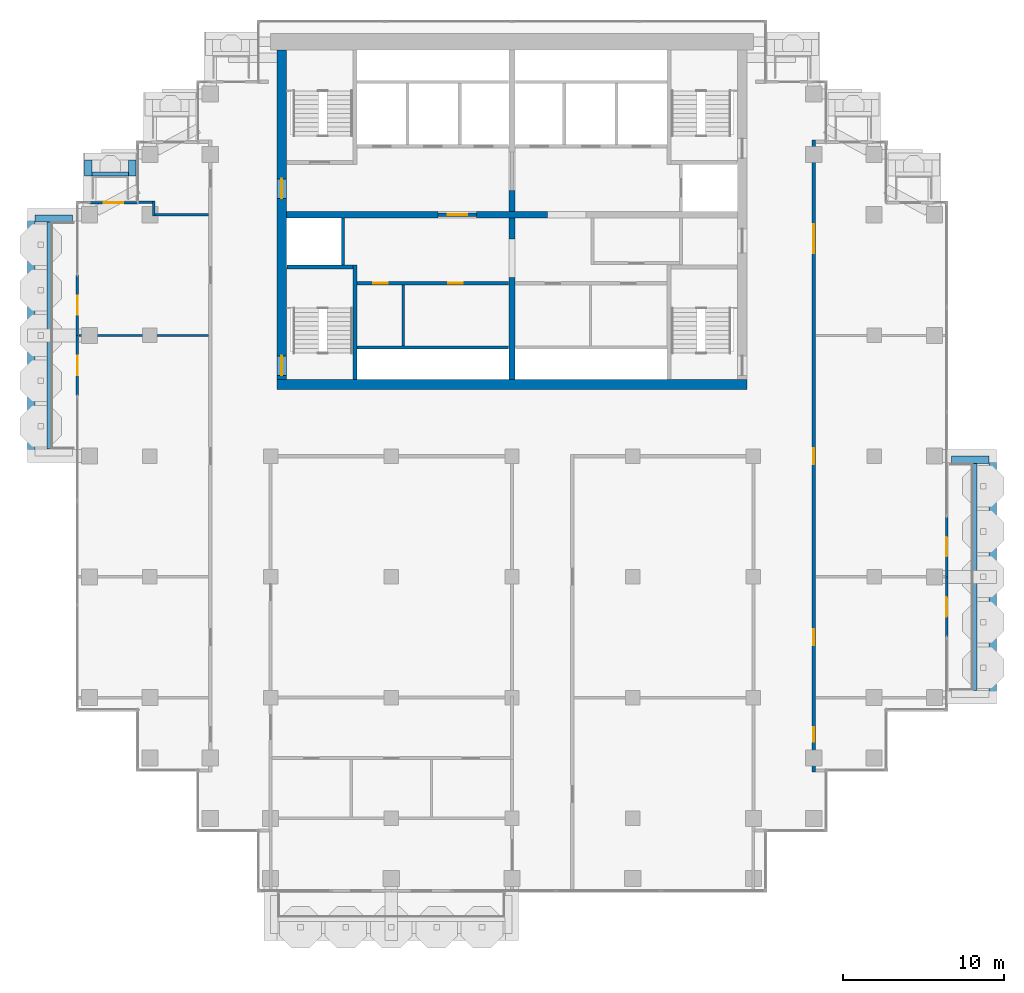
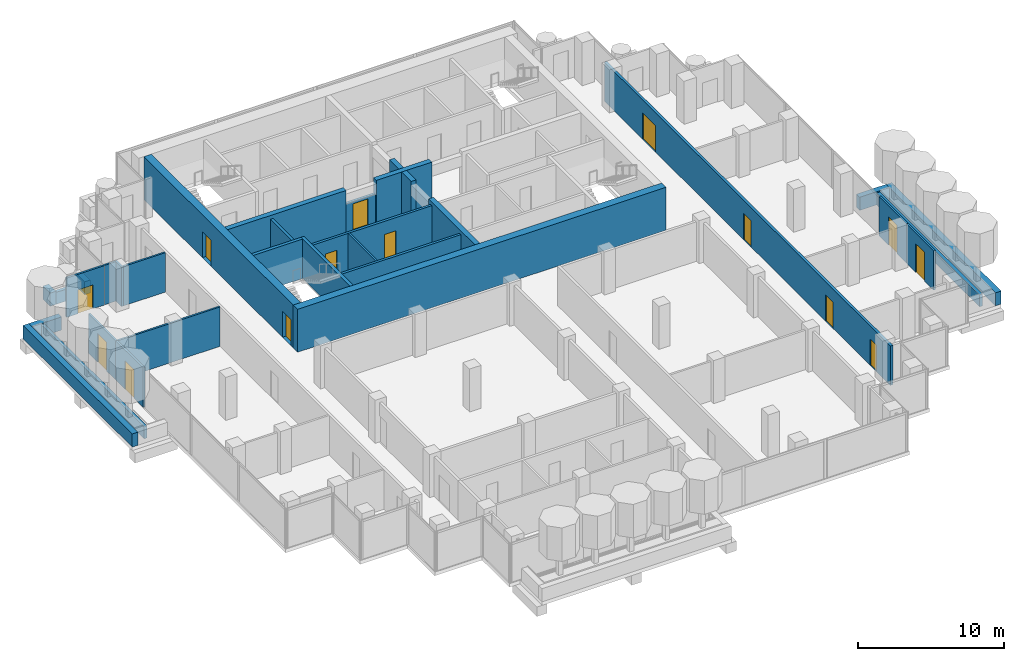
# One storey, part 12 of 17: 33 walls, 14 doors, 14 openings.
"""IFC4 building model written with IfcOpenShell, lengths in metres."""

from ifc_helpers import new_model, si_unit, direction, frame, frame_2d, origin, place, context, subcontext, project, spatial, rectangle, extrude, material, layer, layer_set, type_object, element, fill, save


model = new_model("IFC4")

# Units and contexts
model_context = context("Model", 3, precision=1e-05, world=origin(), true_north=direction((0.0, 1.0)))
body_context = subcontext(model_context, "Body", "Model", "MODEL_VIEW")
ifc_project = project(units=[si_unit("LENGTHUNIT", "METRE"), si_unit("AREAUNIT", "SQUARE_METRE"), si_unit("VOLUMEUNIT", "CUBIC_METRE"), si_unit("PLANEANGLEUNIT", "RADIAN"), si_unit("MASSUNIT", "GRAM", prefix="KILO")], contexts=[model_context])

# Site, building, storey
site_placement = place(None, origin())
site = spatial("IfcSite", under=ifc_project, at=site_placement, CompositionType="ELEMENT")
building_placement = place(site_placement, origin())
building = spatial("IfcBuilding", under=site, at=building_placement, Name="Pilkhan Gate Tower", CompositionType="ELEMENT")
storey_placement = place(building_placement, frame((0.0, 0.0, 206.699951171875)))
storey = spatial("IfcBuildingStorey", under=building, at=storey_placement, Name="L53", CompositionType="ELEMENT", Elevation=206.699951171875)

# Walls
ifc_material_1 = material(Name="Concrete C40/50", Category="concrete")
ifc_layer_1 = layer(ifc_material_1, 0.25)
ifc_layer_set_1 = layer_set([ifc_layer_1], Name="Balcony planter BP250")
wall_type_1 = type_object("IfcWallType", Name="Balcony planter BP250", PredefinedType="USERDEFINED", material=ifc_layer_set_1)
wall_1_placement = place(storey_placement, frame((103.77490234375, 52.949951171875, 0.0), z_axis=(0.0, 0.0, 1.0), x_axis=(0.0, 1.0, 0.0)))
element("IfcWall", 1, at=wall_1_placement, inside=storey, type_object=wall_type_1, Name="Balcony planter L53 E", ObjectType="BALCONY PLANTER", PredefinedType="USERDEFINED", context=body_context, shape_type="SweptSolid", body=[
    extrude(rectangle(XDim=14.10009765625, YDim=0.25, at=frame_2d((7.050048828125, 0.0))), origin(), (0.0, 0.0, 1.0), 1.0),
])
wall_2_placement = place(storey_placement, frame((48.89990234375, 85.02490234375, 0.0), z_axis=(0.0, 0.0, 1.0), x_axis=(1.0, 0.0, 0.0)))
element("IfcWall", 2, at=wall_2_placement, inside=storey, type_object=wall_type_1, Name="Balcony planter L53 N", ObjectType="BALCONY PLANTER", PredefinedType="USERDEFINED", context=body_context, shape_type="SweptSolid", body=[
    extrude(rectangle(XDim=2.280029296875, YDim=0.25, at=frame_2d((1.14013671875, 0.0))), origin(), (0.0, 0.0, 1.0), 1.0),
])
wall_3_placement = place(storey_placement, frame((46.22509765625, 67.949951171875, 0.0), z_axis=(0.0, 0.0, 1.0), x_axis=(0.0, 1.0, 0.0)))
element("IfcWall", 3, at=wall_3_placement, inside=storey, type_object=wall_type_1, Name="Balcony planter L53 W", ObjectType="BALCONY PLANTER", PredefinedType="USERDEFINED", context=body_context, shape_type="SweptSolid", body=[
    extrude(rectangle(XDim=14.10009765625, YDim=0.25, at=frame_2d((7.050048828125, 0.0))), origin(), (0.0, 0.0, 1.0), 1.0),
])
ifc_material_2 = material(Name="Board-marked Concrete C40/50", Category="concrete")
ifc_layer_2 = layer(ifc_material_2, 0.449951171875)
ifc_layer_set_2 = layer_set([ifc_layer_2], Name="Balcony planter lip BL450")
wall_type_2 = type_object("IfcWallType", Name="Balcony planter lip BL450", PredefinedType="USERDEFINED", material=ifc_layer_set_2)
wall_4_placement = place(storey_placement, frame((104.875, 52.5, 0.0), z_axis=(0.0, 0.0, 1.0), x_axis=(0.0, 1.0, 0.0)))
element("IfcWall", 4, at=wall_4_placement, inside=storey, type_object=wall_type_2, Name="Balcony planter L53 E", ObjectType="BALCONY PLANTER", PredefinedType="USERDEFINED", context=body_context, shape_type="SweptSolid", body=[
    extrude(rectangle(XDim=15.0, YDim=0.449951171875, at=frame_2d((7.5, 0.0))), origin(), (0.0, 0.0, 1.0), 1.10009765625),
])
wall_5_placement = place(storey_placement, frame((102.300048828125, 67.27490234375, 0.0), z_axis=(0.0, 0.0, 1.0), x_axis=(1.0, 0.0, 0.0)))
element("IfcWall", 5, at=wall_5_placement, inside=storey, type_object=wall_type_2, Name="Balcony planter L53 E", ObjectType="BALCONY PLANTER", PredefinedType="USERDEFINED", context=body_context, shape_type="SweptSolid", body=[
    extrude(rectangle(XDim=2.349853515625, YDim=0.449951171875, at=frame_2d((1.1748046875, 0.0))), origin(), (0.0, 0.0, 1.0), 1.10009765625),
])
for number, where, z_axis, x_axis, name in (
    (6, (48.675048828125, 84.89990234375, 0.0), (0.0, 0.0, 1.0), (0.0, 1.0, 0.0), "Balcony planter L53 N"),
    (7, (51.405029296875, 84.89990234375, 0.0), (0.0, 0.0, 1.0), (0.0, 1.0, 0.0), "Balcony planter L53 N"),
):
    element("IfcWall", number, at=place(storey_placement, frame(where, z_axis=z_axis, x_axis=x_axis)), inside=storey, type_object=wall_type_2, Name=name, ObjectType="BALCONY PLANTER", PredefinedType="USERDEFINED", context=body_context, shape_type="SweptSolid", body=[
        extrude(rectangle(XDim=1.0, YDim=0.449951171875, at=frame_2d((0.5, 0.0))), origin(), (0.0, 0.0, 1.0), 1.10009765625),
    ])
wall_6_placement = place(storey_placement, frame((45.125, 67.5, 0.0), z_axis=(0.0, 0.0, 1.0), x_axis=(0.0, 1.0, 0.0)))
element("IfcWall", 8, at=wall_6_placement, inside=storey, type_object=wall_type_2, Name="Balcony planter L53 W", ObjectType="BALCONY PLANTER", PredefinedType="USERDEFINED", context=body_context, shape_type="SweptSolid", body=[
    extrude(rectangle(XDim=15.0, YDim=0.449951171875, at=frame_2d((7.5, 0.0))), origin(), (0.0, 0.0, 1.0), 1.10009765625),
])
wall_7_placement = place(storey_placement, frame((47.699951171875, 82.27490234375, 0.0), z_axis=(0.0, 0.0, 1.0), x_axis=(-1.0, 0.0, 0.0)))
element("IfcWall", 9, at=wall_7_placement, inside=storey, type_object=wall_type_2, Name="Balcony planter L53 W", ObjectType="BALCONY PLANTER", PredefinedType="USERDEFINED", context=body_context, shape_type="SweptSolid", body=[
    extrude(rectangle(XDim=2.349853515625, YDim=0.449951171875, at=frame_2d((1.1748046875, 0.0))), origin(), (0.0, 0.0, 1.0), 1.10009765625),
])
ifc_material_3 = material(Name="Concrete C50/60", Category="concrete")
ifc_layer_3 = layer(ifc_material_3, 0.60009765625)
ifc_layer_set_3 = layer_set([ifc_layer_3], Name="Core wall CW600 C50/60")
wall_type_3 = type_object("IfcWallType", Name="Core wall CW600 C50/60", PredefinedType="SHEAR", material=ifc_layer_set_3)
wall_8_placement = place(storey_placement, frame((60.39990234375, 71.949951171875, 0.0), z_axis=(0.0, 0.0, 1.0), x_axis=(1.0, 0.0, 0.0)))
element("IfcWall", 10, at=wall_8_placement, inside=storey, type_object=wall_type_3, Name="Core wall S L53", PredefinedType="SHEAR", context=body_context, shape_type="SweptSolid", body=[
    extrude(rectangle(XDim=29.2001953125, YDim=0.60009765625, at=frame_2d((14.60009765625, 0.0))), origin(), (0.0, 0.0, 1.0), 3.60009765625),
])

# Wall, openings, doors
wall_9_placement = place(storey_placement, frame((60.699951171875, 92.75, 0.0), z_axis=(0.0, 0.0, 1.0), x_axis=(0.0, -1.0, 0.0)))
wall_9 = element("IfcWall", 11, at=wall_9_placement, inside=storey, type_object=wall_type_3, Name="Core wall W L53", PredefinedType="SHEAR", context=body_context, shape_type="SweptSolid", body=[
    extrude(rectangle(XDim=20.5, YDim=0.60009765625, at=frame_2d((10.25, 0.0))), origin(), (0.0, 0.0, 1.0), 3.60009765625),
])
opening_1_placement = place(wall_9_placement, frame((19.02490234375, 0.0, 0.0)))
opening_1 = element("IfcOpeningElement", 12, at=opening_1_placement, cuts=wall_9, Name="Opening L53-04", PredefinedType="OPENING", context=body_context, shape_type="SweptSolid", body=[
    extrude(rectangle(XDim=1.199951171875, YDim=2.199951171875, at=frame_2d((0.60009765625, 1.10009765625))), frame((0.0, 0.31005859375, 0.0), z_axis=(0.0, -1.0, 0.0), x_axis=(1.0, 0.0, 0.0)), (0.0, 0.0, 1.0), 0.6201171875),
])
opening_2_placement = place(wall_9_placement, frame((8.02490234375, 0.0, 0.0)))
opening_2 = element("IfcOpeningElement", 13, at=opening_2_placement, cuts=wall_9, Name="Opening L53-08", PredefinedType="OPENING", context=body_context, shape_type="SweptSolid", body=[
    extrude(rectangle(XDim=1.199951171875, YDim=2.199951171875, at=frame_2d((0.60009765625, 1.10009765625))), frame((0.0, 0.31005859375, 0.0), z_axis=(0.0, -1.0, 0.0), x_axis=(1.0, 0.0, 0.0)), (0.0, 0.0, 1.0), 0.6201171875),
])
ifc_material_4 = material(Name="Steel door, 120 minute fire resisting, self-closing", Category="steel")
door_type_1 = type_object("IfcDoorType", Name="Firefighting lobby door D10 1200x2200", OperationType="SINGLE_SWING_LEFT", PredefinedType="DOOR", material=ifc_material_4)
door_1_placement = place(opening_2_placement, origin())
door_1 = element("IfcDoor", 14, at=door_1_placement, inside=storey, type_object=door_type_1, Name="Core door", OperationType="SINGLE_SWING_RIGHT", OverallHeight=2.199951171875, OverallWidth=1.199951171875, PredefinedType="DOOR", context=body_context, shape_type="SweptSolid", body=[
    extrude(rectangle(XDim=1.199951171875, YDim=2.199951171875, at=frame_2d((0.60009765625, 1.10009765625))), frame((0.0, 0.02490234375, 0.0), z_axis=(0.0, -1.0, 0.0), x_axis=(1.0, 0.0, 0.0)), (0.0, 0.0, 1.0), 0.050048828125),
])
fill(opening_2, door_1)
ifc_material_5 = material(Name="Steel door, 120 minute fire resisting, panic bar", Category="steel")
door_type_2 = type_object("IfcDoorType", Name="Stair door D11 1200x2200", OperationType="SINGLE_SWING_LEFT", PredefinedType="DOOR", material=ifc_material_5)
door_2_placement = place(opening_1_placement, origin())
door_2 = element("IfcDoor", 15, at=door_2_placement, inside=storey, type_object=door_type_2, Name="Stair ST2 door", OperationType="SINGLE_SWING_LEFT", OverallHeight=2.199951171875, OverallWidth=1.199951171875, PredefinedType="DOOR", context=body_context, shape_type="SweptSolid", body=[
    extrude(rectangle(XDim=1.199951171875, YDim=2.199951171875, at=frame_2d((0.60009765625, 1.10009765625))), frame((0.0, 0.02490234375, 0.0), z_axis=(0.0, -1.0, 0.0), x_axis=(1.0, 0.0, 0.0)), (0.0, 0.0, 1.0), 0.050048828125),
])
fill(opening_1, door_2)

ifc_material_6 = material(Name="Dense blockwork", Category="masonry")
ifc_layer_4 = layer(ifc_material_6, 0.199951171875)
ifc_layer_set_4 = layer_set([ifc_layer_4], Name="Corridor wall FW200")
wall_type_4 = type_object("IfcWallType", Name="Corridor wall FW200", PredefinedType="PARTITIONING", material=ifc_layer_set_4)
wall_10_placement = place(storey_placement, frame((93.75, 47.8701171875, 0.0), z_axis=(0.0, 0.0, 1.0), x_axis=(0.0, 1.0, 0.0)))
wall_10 = element("IfcWall", 16, at=wall_10_placement, inside=storey, type_object=wall_type_4, Name="Partition L53", PredefinedType="PARTITIONING", context=body_context, shape_type="SweptSolid", body=[
    extrude(rectangle(XDim=39.259765625, YDim=0.199951171875, at=frame_2d((19.6298828125, 0.0))), origin(), (0.0, 0.0, 1.0), 3.300048828125),
])
opening_3_placement = place(wall_10_placement, frame((1.89990234375, 0.0, 0.0)))
opening_3 = element("IfcOpeningElement", 17, at=opening_3_placement, cuts=wall_10, Name="Opening L53-24", PredefinedType="OPENING", context=body_context, shape_type="SweptSolid", body=[
    extrude(rectangle(XDim=0.89990234375, YDim=2.199951171875, at=frame_2d((0.449951171875, 1.10009765625))), frame((0.0, 0.10986328125, 0.0), z_axis=(0.0, -1.0, 0.0), x_axis=(1.0, 0.0, 0.0)), (0.0, 0.0, 1.0), 0.219970703125),
])
opening_4_placement = place(wall_10_placement, frame((7.8798828125, 0.0, 0.0)))
opening_4 = element("IfcOpeningElement", 18, at=opening_4_placement, cuts=wall_10, Name="Opening L53-25", PredefinedType="OPENING", context=body_context, shape_type="SweptSolid", body=[
    extrude(rectangle(XDim=1.0, YDim=2.199951171875, at=frame_2d((0.5, 1.10009765625))), frame((0.0, 0.10986328125, 0.0), z_axis=(0.0, -1.0, 0.0), x_axis=(1.0, 0.0, 0.0)), (0.0, 0.0, 1.0), 0.219970703125),
])
opening_5_placement = place(wall_10_placement, frame((19.1298828125, 0.0, 0.0)))
opening_5 = element("IfcOpeningElement", 19, at=opening_5_placement, cuts=wall_10, Name="Opening L53-26", PredefinedType="OPENING", context=body_context, shape_type="SweptSolid", body=[
    extrude(rectangle(XDim=1.0, YDim=2.199951171875, at=frame_2d((0.5, 1.10009765625))), frame((0.0, 0.10986328125, 0.0), z_axis=(0.0, -1.0, 0.0), x_axis=(1.0, 0.0, 0.0)), (0.0, 0.0, 1.0), 0.219970703125),
])
opening_6_placement = place(wall_10_placement, frame((32.22998046875, 0.0, 0.0)))
opening_6 = element("IfcOpeningElement", 20, at=opening_6_placement, cuts=wall_10, Name="Opening L53-29", PredefinedType="OPENING", context=body_context, shape_type="SweptSolid", body=[
    extrude(rectangle(XDim=1.800048828125, YDim=2.199951171875, at=frame_2d((0.89990234375, 1.10009765625))), frame((0.0, 0.10986328125, 0.0), z_axis=(0.0, -1.0, 0.0), x_axis=(1.0, 0.0, 0.0)), (0.0, 0.0, 1.0), 0.219970703125),
])
ifc_material_7 = material(Name="Timber glazed double door, 30 minute fire resisting", Category="wood")
door_type_3 = type_object("IfcDoorType", Name="Double door D04 1800x2200", OperationType="DOUBLE_DOOR_SINGLE_SWING", PredefinedType="DOOR", material=ifc_material_7)
door_3_placement = place(opening_6_placement, origin())
door_3 = element("IfcDoor", 21, at=door_3_placement, inside=storey, type_object=door_type_3, Name="Double door", OperationType="DOUBLE_DOOR_SINGLE_SWING", OverallHeight=2.199951171875, OverallWidth=1.800048828125, PredefinedType="DOOR", context=body_context, shape_type="SweptSolid", body=[
    extrude(rectangle(XDim=1.800048828125, YDim=2.199951171875, at=frame_2d((0.89990234375, 1.10009765625))), frame((0.0, 0.02490234375, 0.0), z_axis=(0.0, -1.0, 0.0), x_axis=(1.0, 0.0, 0.0)), (0.0, 0.0, 1.0), 0.050048828125),
])
fill(opening_6, door_3)
ifc_material_8 = material(Name="Timber flush door, 30 minute fire resisting", Category="wood")
door_type_4 = type_object("IfcDoorType", Name="Room door D03 1000x2200", OperationType="SINGLE_SWING_LEFT", PredefinedType="DOOR", material=ifc_material_8)
door_4_placement = place(opening_4_placement, origin())
door_4 = element("IfcDoor", 22, at=door_4_placement, inside=storey, type_object=door_type_4, Name="Room door", OperationType="SINGLE_SWING_RIGHT", OverallHeight=2.199951171875, OverallWidth=1.0, PredefinedType="DOOR", context=body_context, shape_type="SweptSolid", body=[
    extrude(rectangle(XDim=1.0, YDim=2.199951171875, at=frame_2d((0.5, 1.10009765625))), frame((0.0, 0.02490234375, 0.0), z_axis=(0.0, -1.0, 0.0), x_axis=(1.0, 0.0, 0.0)), (0.0, 0.0, 1.0), 0.050048828125),
])
fill(opening_4, door_4)
door_5_placement = place(opening_5_placement, origin())
door_5 = element("IfcDoor", 23, at=door_5_placement, inside=storey, type_object=door_type_4, Name="Room door", OperationType="SINGLE_SWING_RIGHT", OverallHeight=2.199951171875, OverallWidth=1.0, PredefinedType="DOOR", context=body_context, shape_type="SweptSolid", body=[
    extrude(rectangle(XDim=1.0, YDim=2.199951171875, at=frame_2d((0.5, 1.10009765625))), frame((0.0, 0.02490234375, 0.0), z_axis=(0.0, -1.0, 0.0), x_axis=(1.0, 0.0, 0.0)), (0.0, 0.0, 1.0), 0.050048828125),
])
fill(opening_5, door_5)
ifc_material_9 = material(Name="Timber flush door, 60 minute fire resisting, self-closing", Category="wood")
door_type_5 = type_object("IfcDoorType", Name="Store door D05 900x2200", OperationType="SINGLE_SWING_LEFT", PredefinedType="DOOR", material=ifc_material_9)
door_6_placement = place(opening_3_placement, origin())
door_6 = element("IfcDoor", 24, at=door_6_placement, inside=storey, type_object=door_type_5, Name="Store door", OperationType="SINGLE_SWING_LEFT", OverallHeight=2.199951171875, OverallWidth=0.89990234375, PredefinedType="DOOR", context=body_context, shape_type="SweptSolid", body=[
    extrude(rectangle(XDim=0.89990234375, YDim=2.199951171875, at=frame_2d((0.449951171875, 1.10009765625))), frame((0.0, 0.02490234375, 0.0), z_axis=(0.0, -1.0, 0.0), x_axis=(1.0, 0.0, 0.0)), (0.0, 0.0, 1.0), 0.050048828125),
])
fill(opening_3, door_6)

# Wall, opening, door
ifc_material_10 = material(Name="Pale anodised aluminium, clear laminated glazing", Category="aluminium")
ifc_layer_5 = layer(ifc_material_10, 0.14990234375)
ifc_layer_set_5 = layer_set([ifc_layer_5], Name="Facade infill wall IW150")
wall_type_5 = type_object("IfcWallType", Name="Facade infill wall IW150", PredefinedType="SOLIDWALL", material=ifc_layer_set_5)
wall_11_placement = place(storey_placement, frame((102.0, 56.25, 0.0), z_axis=(0.0, 0.0, 1.0), x_axis=(0.0, 1.0, 0.0)))
wall_11 = element("IfcWall", 25, at=wall_11_placement, inside=storey, type_object=wall_type_5, Name="Infill wall L53 E", PredefinedType="SOLIDWALL", context=body_context, shape_type="SweptSolid", body=[
    extrude(rectangle(XDim=3.75, YDim=0.14990234375, at=frame_2d((1.875, 0.0))), origin(), (0.0, 0.0, 1.0), 3.300048828125),
])
opening_7_placement = place(wall_11_placement, frame((1.27490234375, 0.0, 0.0)))
opening_7 = element("IfcOpeningElement", 26, at=opening_7_placement, cuts=wall_11, Name="Opening D1", PredefinedType="OPENING", context=body_context, shape_type="SweptSolid", body=[
    extrude(rectangle(XDim=1.199951171875, YDim=2.39990234375, at=frame_2d((0.60009765625, 1.199951171875))), frame((0.0, 0.0849609375, 0.0), z_axis=(0.0, -1.0, 0.0), x_axis=(1.0, 0.0, 0.0)), (0.0, 0.0, 1.0), 0.169921875),
])
ifc_material_11 = material(Name="Pale anodised aluminium, clear glazing", Category="aluminium")
door_type_6 = type_object("IfcDoorType", Name="Balcony door D1 1200x2400", OperationType="SINGLE_SWING_LEFT", PredefinedType="DOOR", material=ifc_material_11)
door_7_placement = place(opening_7_placement, origin())
door_7 = element("IfcDoor", 27, at=door_7_placement, inside=storey, type_object=door_type_6, Name="Balcony door L53", OperationType="SINGLE_SWING_LEFT", OverallHeight=2.39990234375, OverallWidth=1.199951171875, PredefinedType="DOOR", context=body_context, shape_type="SweptSolid", body=[
    extrude(rectangle(XDim=1.199951171875, YDim=2.39990234375, at=frame_2d((0.60009765625, 1.199951171875))), frame((0.0, 0.02490234375, 0.0), z_axis=(0.0, -1.0, 0.0), x_axis=(1.0, 0.0, 0.0)), (0.0, 0.0, 1.0), 0.050048828125),
])
fill(opening_7, door_7)

wall_12_placement = place(storey_placement, frame((102.0, 60.0, 0.0), z_axis=(0.0, 0.0, 1.0), x_axis=(0.0, 1.0, 0.0)))
wall_12 = element("IfcWall", 28, at=wall_12_placement, inside=storey, type_object=wall_type_5, Name="Infill wall L53 E", PredefinedType="SOLIDWALL", context=body_context, shape_type="SweptSolid", body=[
    extrude(rectangle(XDim=3.75, YDim=0.14990234375, at=frame_2d((1.875, 0.0))), origin(), (0.0, 0.0, 1.0), 3.300048828125),
])
opening_8_placement = place(wall_12_placement, frame((1.27490234375, 0.0, 0.0)))
opening_8 = element("IfcOpeningElement", 29, at=opening_8_placement, cuts=wall_12, Name="Opening D1", PredefinedType="OPENING", context=body_context, shape_type="SweptSolid", body=[
    extrude(rectangle(XDim=1.199951171875, YDim=2.39990234375, at=frame_2d((0.60009765625, 1.199951171875))), frame((0.0, 0.0849609375, 0.0), z_axis=(0.0, -1.0, 0.0), x_axis=(1.0, 0.0, 0.0)), (0.0, 0.0, 1.0), 0.169921875),
])
door_8_placement = place(opening_8_placement, origin())
door_8 = element("IfcDoor", 30, at=door_8_placement, inside=storey, type_object=door_type_6, Name="Balcony door L53", OperationType="SINGLE_SWING_LEFT", OverallHeight=2.39990234375, OverallWidth=1.199951171875, PredefinedType="DOOR", context=body_context, shape_type="SweptSolid", body=[
    extrude(rectangle(XDim=1.199951171875, YDim=2.39990234375, at=frame_2d((0.60009765625, 1.199951171875))), frame((0.0, 0.02490234375, 0.0), z_axis=(0.0, -1.0, 0.0), x_axis=(1.0, 0.0, 0.0)), (0.0, 0.0, 1.0), 0.050048828125),
])
fill(opening_8, door_8)

wall_13_placement = place(storey_placement, frame((48.75, 83.25, 0.0), z_axis=(0.0, 0.0, 1.0), x_axis=(1.0, 0.0, 0.0)))
wall_13 = element("IfcWall", 31, at=wall_13_placement, inside=storey, type_object=wall_type_5, Name="Infill wall L53 N", PredefinedType="SOLIDWALL", context=body_context, shape_type="SweptSolid", body=[
    extrude(rectangle(XDim=3.0, YDim=0.14990234375, at=frame_2d((1.5, 0.0))), origin(), (0.0, 0.0, 1.0), 3.300048828125),
])
opening_9_placement = place(wall_13_placement, frame((0.89990234375, 0.0, 0.0)))
opening_9 = element("IfcOpeningElement", 32, at=opening_9_placement, cuts=wall_13, Name="Opening D1L", PredefinedType="OPENING", context=body_context, shape_type="SweptSolid", body=[
    extrude(rectangle(XDim=1.199951171875, YDim=2.0, at=frame_2d((0.60009765625, 1.0))), frame((0.0, 0.0849609375, 0.0), z_axis=(0.0, -1.0, 0.0), x_axis=(1.0, 0.0, 0.0)), (0.0, 0.0, 1.0), 0.169921875),
])
door_type_7 = type_object("IfcDoorType", Name="Balcony door D1L 1200x2000", OperationType="SINGLE_SWING_LEFT", PredefinedType="DOOR", material=ifc_material_11)
door_9_placement = place(opening_9_placement, origin())
door_9 = element("IfcDoor", 33, at=door_9_placement, inside=storey, type_object=door_type_7, Name="Balcony door L53", OperationType="SINGLE_SWING_LEFT", OverallHeight=2.0, OverallWidth=1.199951171875, PredefinedType="DOOR", context=body_context, shape_type="SweptSolid", body=[
    extrude(rectangle(XDim=1.199951171875, YDim=2.0, at=frame_2d((0.60009765625, 1.0))), frame((0.0, 0.02490234375, 0.0), z_axis=(0.0, -1.0, 0.0), x_axis=(1.0, 0.0, 0.0)), (0.0, 0.0, 1.0), 0.050048828125),
])
fill(opening_9, door_9)

wall_14_placement = place(storey_placement, frame((48.0, 71.25, 0.0), z_axis=(0.0, 0.0, 1.0), x_axis=(0.0, 1.0, 0.0)))
wall_14 = element("IfcWall", 34, at=wall_14_placement, inside=storey, type_object=wall_type_5, Name="Infill wall L53 W", PredefinedType="SOLIDWALL", context=body_context, shape_type="SweptSolid", body=[
    extrude(rectangle(XDim=3.75, YDim=0.14990234375, at=frame_2d((1.875, 0.0))), origin(), (0.0, 0.0, 1.0), 3.300048828125),
])
opening_10_placement = place(wall_14_placement, frame((1.27490234375, 0.0, 0.0)))
opening_10 = element("IfcOpeningElement", 35, at=opening_10_placement, cuts=wall_14, Name="Opening D1", PredefinedType="OPENING", context=body_context, shape_type="SweptSolid", body=[
    extrude(rectangle(XDim=1.199951171875, YDim=2.39990234375, at=frame_2d((0.60009765625, 1.199951171875))), frame((0.0, 0.0849609375, 0.0), z_axis=(0.0, -1.0, 0.0), x_axis=(1.0, 0.0, 0.0)), (0.0, 0.0, 1.0), 0.169921875),
])
door_10_placement = place(opening_10_placement, origin())
door_10 = element("IfcDoor", 36, at=door_10_placement, inside=storey, type_object=door_type_6, Name="Balcony door L53", OperationType="SINGLE_SWING_LEFT", OverallHeight=2.39990234375, OverallWidth=1.199951171875, PredefinedType="DOOR", context=body_context, shape_type="SweptSolid", body=[
    extrude(rectangle(XDim=1.199951171875, YDim=2.39990234375, at=frame_2d((0.60009765625, 1.199951171875))), frame((0.0, 0.02490234375, 0.0), z_axis=(0.0, -1.0, 0.0), x_axis=(1.0, 0.0, 0.0)), (0.0, 0.0, 1.0), 0.050048828125),
])
fill(opening_10, door_10)

wall_15_placement = place(storey_placement, frame((48.0, 75.0, 0.0), z_axis=(0.0, 0.0, 1.0), x_axis=(0.0, 1.0, 0.0)))
wall_15 = element("IfcWall", 37, at=wall_15_placement, inside=storey, type_object=wall_type_5, Name="Infill wall L53 W", PredefinedType="SOLIDWALL", context=body_context, shape_type="SweptSolid", body=[
    extrude(rectangle(XDim=3.75, YDim=0.14990234375, at=frame_2d((1.875, 0.0))), origin(), (0.0, 0.0, 1.0), 3.300048828125),
])
opening_11_placement = place(wall_15_placement, frame((1.27490234375, 0.0, 0.0)))
opening_11 = element("IfcOpeningElement", 38, at=opening_11_placement, cuts=wall_15, Name="Opening D1", PredefinedType="OPENING", context=body_context, shape_type="SweptSolid", body=[
    extrude(rectangle(XDim=1.199951171875, YDim=2.39990234375, at=frame_2d((0.60009765625, 1.199951171875))), frame((0.0, 0.0849609375, 0.0), z_axis=(0.0, -1.0, 0.0), x_axis=(1.0, 0.0, 0.0)), (0.0, 0.0, 1.0), 0.169921875),
])
door_11_placement = place(opening_11_placement, origin())
door_11 = element("IfcDoor", 39, at=door_11_placement, inside=storey, type_object=door_type_6, Name="Balcony door L53", OperationType="SINGLE_SWING_LEFT", OverallHeight=2.39990234375, OverallWidth=1.199951171875, PredefinedType="DOOR", context=body_context, shape_type="SweptSolid", body=[
    extrude(rectangle(XDim=1.199951171875, YDim=2.39990234375, at=frame_2d((0.60009765625, 1.199951171875))), frame((0.0, 0.02490234375, 0.0), z_axis=(0.0, -1.0, 0.0), x_axis=(1.0, 0.0, 0.0)), (0.0, 0.0, 1.0), 0.050048828125),
])
fill(opening_11, door_11)

# Wall
ifc_layer_6 = layer(ifc_material_6, 0.199951171875)
ifc_layer_set_6 = layer_set([ifc_layer_6], Name="Lobby wall LW200")
wall_type_6 = type_object("IfcWallType", Name="Lobby wall LW200", PredefinedType="PARTITIONING", material=ifc_layer_set_6)
wall_16_placement = place(storey_placement, frame((65.375, 74.25, 0.0), z_axis=(0.0, 0.0, 1.0), x_axis=(1.0, 0.0, 0.0)))
element("IfcWall", 40, at=wall_16_placement, inside=storey, type_object=wall_type_6, Name="Partition L53", PredefinedType="PARTITIONING", context=body_context, shape_type="SweptSolid", body=[
    extrude(rectangle(XDim=9.4150390625, YDim=0.199951171875, at=frame_2d((4.70751953125, 0.0))), origin(), (0.0, 0.0, 1.0), 3.300048828125),
])

# Wall, openings, doors
wall_17_placement = place(storey_placement, frame((65.375, 78.25, 0.0), z_axis=(0.0, 0.0, 1.0), x_axis=(1.0, 0.0, 0.0)))
wall_17 = element("IfcWall", 41, at=wall_17_placement, inside=storey, type_object=wall_type_6, Name="Partition L53", PredefinedType="PARTITIONING", context=body_context, shape_type="SweptSolid", body=[
    extrude(rectangle(XDim=9.4150390625, YDim=0.199951171875, at=frame_2d((4.70751953125, 0.0))), origin(), (0.0, 0.0, 1.0), 3.300048828125),
])
opening_12_placement = place(wall_17_placement, frame((1.0, 0.0, 0.0)))
opening_12 = element("IfcOpeningElement", 42, at=opening_12_placement, cuts=wall_17, Name="Opening L53-09", PredefinedType="OPENING", context=body_context, shape_type="SweptSolid", body=[
    extrude(rectangle(XDim=0.89990234375, YDim=2.199951171875, at=frame_2d((0.449951171875, 1.10009765625))), frame((0.0, 0.10986328125, 0.0), z_axis=(0.0, -1.0, 0.0), x_axis=(1.0, 0.0, 0.0)), (0.0, 0.0, 1.0), 0.219970703125),
])
opening_13_placement = place(wall_17_placement, frame((5.6650390625, 0.0, 0.0)))
opening_13 = element("IfcOpeningElement", 43, at=opening_13_placement, cuts=wall_17, Name="Opening L53-10", PredefinedType="OPENING", context=body_context, shape_type="SweptSolid", body=[
    extrude(rectangle(XDim=0.89990234375, YDim=2.199951171875, at=frame_2d((0.449951171875, 1.10009765625))), frame((0.0, 0.10986328125, 0.0), z_axis=(0.0, -1.0, 0.0), x_axis=(1.0, 0.0, 0.0)), (0.0, 0.0, 1.0), 0.219970703125),
])
door_12_placement = place(opening_12_placement, origin())
door_12 = element("IfcDoor", 44, at=door_12_placement, inside=storey, type_object=door_type_5, Name="Store door", OperationType="SINGLE_SWING_LEFT", OverallHeight=2.199951171875, OverallWidth=0.89990234375, PredefinedType="DOOR", context=body_context, shape_type="SweptSolid", body=[
    extrude(rectangle(XDim=0.89990234375, YDim=2.199951171875, at=frame_2d((0.449951171875, 1.10009765625))), frame((0.0, 0.02490234375, 0.0), z_axis=(0.0, -1.0, 0.0), x_axis=(1.0, 0.0, 0.0)), (0.0, 0.0, 1.0), 0.050048828125),
])
fill(opening_12, door_12)
door_13_placement = place(opening_13_placement, origin())
door_13 = element("IfcDoor", 45, at=door_13_placement, inside=storey, type_object=door_type_5, Name="Store door", OperationType="SINGLE_SWING_LEFT", OverallHeight=2.199951171875, OverallWidth=0.89990234375, PredefinedType="DOOR", context=body_context, shape_type="SweptSolid", body=[
    extrude(rectangle(XDim=0.89990234375, YDim=2.199951171875, at=frame_2d((0.449951171875, 1.10009765625))), frame((0.0, 0.02490234375, 0.0), z_axis=(0.0, -1.0, 0.0), x_axis=(1.0, 0.0, 0.0)), (0.0, 0.0, 1.0), 0.050048828125),
])
fill(opening_13, door_13)

# Wall, opening, door
wall_18_placement = place(storey_placement, frame((70.409912109375, 82.5, 0.0), z_axis=(0.0, 0.0, 1.0), x_axis=(1.0, 0.0, 0.0)))
wall_18 = element("IfcWall", 46, at=wall_18_placement, inside=storey, type_object=wall_type_6, Name="Partition L53", PredefinedType="PARTITIONING", context=body_context, shape_type="SweptSolid", body=[
    extrude(rectangle(XDim=2.380126953125, YDim=0.199951171875, at=frame_2d((1.18994140625, 0.0))), origin(), (0.0, 0.0, 1.0), 2.400146484375),
])
opening_14_placement = place(wall_18_placement, frame((0.60009765625, 0.0, 0.0)))
opening_14 = element("IfcOpeningElement", 47, at=opening_14_placement, cuts=wall_18, Name="Opening L53-01", PredefinedType="OPENING", context=body_context, shape_type="SweptSolid", body=[
    extrude(rectangle(XDim=1.199951171875, YDim=2.199951171875, at=frame_2d((0.60009765625, 1.10009765625))), frame((0.0, 0.10986328125, 0.0), z_axis=(0.0, -1.0, 0.0), x_axis=(1.0, 0.0, 0.0)), (0.0, 0.0, 1.0), 0.219970703125),
])
door_14_placement = place(opening_14_placement, origin())
door_14 = element("IfcDoor", 48, at=door_14_placement, inside=storey, type_object=door_type_1, Name="Firefighting lobby door", OperationType="SINGLE_SWING_RIGHT", OverallHeight=2.199951171875, OverallWidth=1.199951171875, PredefinedType="DOOR", context=body_context, shape_type="SweptSolid", body=[
    extrude(rectangle(XDim=1.199951171875, YDim=2.199951171875, at=frame_2d((0.60009765625, 1.10009765625))), frame((0.0, 0.02490234375, 0.0), z_axis=(0.0, -1.0, 0.0), x_axis=(1.0, 0.0, 0.0)), (0.0, 0.0, 1.0), 0.050048828125),
])
fill(opening_14, door_14)

# Walls
ifc_material_12 = material(Name="Blockwork partition, plastered both sides", Category="masonry")
ifc_layer_7 = layer(ifc_material_12, 0.14990234375)
ifc_layer_set_7 = layer_set([ifc_layer_7], Name="Partition PW150")
wall_type_7 = type_object("IfcWallType", Name="Partition PW150", PredefinedType="PARTITIONING", material=ifc_layer_set_7)
wall_19_placement = place(storey_placement, frame((48.0849609375, 75.0, 0.0), z_axis=(0.0, 0.0, 1.0), x_axis=(1.0, 0.0, 0.0)))
element("IfcWall", 49, at=wall_19_placement, inside=storey, type_object=wall_type_7, Name="Partition L53", PredefinedType="PARTITIONING", context=body_context, shape_type="SweptSolid", body=[
    extrude(rectangle(XDim=8.06494140625, YDim=0.14990234375, at=frame_2d((4.032470703125, 0.0))), origin(), (0.0, 0.0, 1.0), 3.300048828125),
])
wall_20_placement = place(storey_placement, frame((52.81005859375, 82.5, 0.0), z_axis=(0.0, 0.0, 1.0), x_axis=(1.0, 0.0, 0.0)))
element("IfcWall", 50, at=wall_20_placement, inside=storey, type_object=wall_type_7, Name="Partition L53", PredefinedType="PARTITIONING", context=body_context, shape_type="SweptSolid", body=[
    extrude(rectangle(XDim=3.33984375, YDim=0.14990234375, at=frame_2d((1.669921875, 0.0))), origin(), (0.0, 0.0, 1.0), 3.300048828125),
])
wall_21_placement = place(storey_placement, frame((51.760009765625, 83.264892578125, 0.0), z_axis=(0.0, 0.0, 1.0), x_axis=(1.0, 0.0, 0.0)))
element("IfcWall", 51, at=wall_21_placement, inside=storey, type_object=wall_type_7, Name="Partition L53", PredefinedType="PARTITIONING", context=body_context, shape_type="SweptSolid", body=[
    extrude(rectangle(XDim=0.89990234375, YDim=0.14990234375, at=frame_2d((0.449951171875, 0.0))), origin(), (0.0, 0.0, 1.0), 3.300048828125),
])
wall_22_placement = place(storey_placement, frame((52.735107421875, 82.425048828125, 0.0), z_axis=(0.0, 0.0, 1.0), x_axis=(0.0, 1.0, 0.0)))
element("IfcWall", 52, at=wall_22_placement, inside=storey, type_object=wall_type_7, Name="Partition L53", PredefinedType="PARTITIONING", context=body_context, shape_type="SweptSolid", body=[
    extrude(rectangle(XDim=0.9150390625, YDim=0.14990234375, at=frame_2d((0.45751953125, 0.0))), origin(), (0.0, 0.0, 1.0), 3.300048828125),
])
wall_23_placement = place(storey_placement, frame((68.239990234375, 74.35009765625, 0.0), z_axis=(0.0, 0.0, 1.0), x_axis=(0.0, 1.0, 0.0)))
element("IfcWall", 53, at=wall_23_placement, inside=storey, type_object=wall_type_7, Name="Partition L53", PredefinedType="PARTITIONING", context=body_context, shape_type="SweptSolid", body=[
    extrude(rectangle(XDim=3.7998046875, YDim=0.14990234375, at=frame_2d((1.89990234375, 0.0))), origin(), (0.0, 0.0, 1.0), 3.300048828125),
])
ifc_material_13 = material(Name="Reinforced blockwork shaft wall, 120 minute fire resisting", Category="masonry")
ifc_layer_8 = layer(ifc_material_13, 0.199951171875)
ifc_layer_set_8 = layer_set([ifc_layer_8], Name="Shaft wall SW200")
wall_type_8 = type_object("IfcWallType", Name="Shaft wall SW200", PredefinedType="PARTITIONING", material=ifc_layer_set_8)
wall_24_placement = place(storey_placement, frame((64.5, 79.375, 0.0), z_axis=(0.0, 0.0, 1.0), x_axis=(0.0, 1.0, 0.0)))
element("IfcWall", 54, at=wall_24_placement, inside=storey, type_object=wall_type_8, Name="Partition L53", PredefinedType="PARTITIONING", context=body_context, shape_type="SweptSolid", body=[
    extrude(rectangle(XDim=2.9150390625, YDim=0.199951171875, at=frame_2d((1.45751953125, 0.0))), origin(), (0.0, 0.0, 1.0), 3.300048828125),
])
ifc_layer_9 = layer(ifc_material_3, 0.39990234375)
ifc_layer_set_9 = layer_set([ifc_layer_9], Name="Spine wall SW400 C50/60")
wall_type_9 = type_object("IfcWallType", Name="Spine wall SW400 C50/60", PredefinedType="SHEAR", material=ifc_layer_set_9)
wall_25_placement = place(storey_placement, frame((61.0, 82.5, 0.0), z_axis=(0.0, 0.0, 1.0), x_axis=(1.0, 0.0, 0.0)))
element("IfcWall", 55, at=wall_25_placement, inside=storey, type_object=wall_type_9, Name="Spine wall SP-EW1 L53", PredefinedType="SHEAR", context=body_context, shape_type="SweptSolid", body=[
    extrude(rectangle(XDim=9.39990234375, YDim=0.39990234375, at=frame_2d((4.699951171875, 0.0))), origin(), (0.0, 0.0, 1.0), 3.60009765625),
])
wall_26_placement = place(storey_placement, frame((72.800048828125, 82.5, 0.0), z_axis=(0.0, 0.0, 1.0), x_axis=(1.0, 0.0, 0.0)))
element("IfcWall", 56, at=wall_26_placement, inside=storey, type_object=wall_type_9, Name="Spine wall SP-EW2 L53", PredefinedType="SHEAR", context=body_context, shape_type="SweptSolid", body=[
    extrude(rectangle(XDim=4.39990234375, YDim=0.39990234375, at=frame_2d((2.199951171875, 0.0))), origin(), (0.0, 0.0, 1.0), 3.60009765625),
])
wall_27_placement = place(storey_placement, frame((75.0, 72.25, 0.0), z_axis=(0.0, 0.0, 1.0), x_axis=(0.0, 1.0, 0.0)))
element("IfcWall", 57, at=wall_27_placement, inside=storey, type_object=wall_type_9, Name="Spine wall SP-NS-S1 L53", PredefinedType="SHEAR", context=body_context, shape_type="SweptSolid", body=[
    extrude(rectangle(XDim=6.35009765625, YDim=0.39990234375, at=frame_2d((3.175048828125, 0.0))), origin(), (0.0, 0.0, 1.0), 3.60009765625),
])
for number, where, z_axis, x_axis, name in (
    (58, (75.0, 81.0, 0.0), (0.0, 0.0, 1.0), (0.0, 1.0, 0.0), "Spine wall SP-NS-S2 L53"),
    (59, (75.0, 82.699951171875, 0.0), (0.0, 0.0, 1.0), (0.0, 1.0, 0.0), "Spine wall SP-NS-N1 L53"),
):
    element("IfcWall", number, at=place(storey_placement, frame(where, z_axis=z_axis, x_axis=x_axis)), inside=storey, type_object=wall_type_9, Name=name, PredefinedType="SHEAR", context=body_context, shape_type="SweptSolid", body=[
        extrude(rectangle(XDim=1.300048828125, YDim=0.39990234375, at=frame_2d((0.64990234375, 0.0))), origin(), (0.0, 0.0, 1.0), 3.60009765625),
    ])
ifc_material_14 = material(Name="Reinforced blockwork, 120 minute fire resisting", Category="masonry")
ifc_layer_10 = layer(ifc_material_14, 0.25)
ifc_layer_set_10 = layer_set([ifc_layer_10], Name="Stair enclosure wall SE250")
wall_type_10 = type_object("IfcWallType", Name="Stair enclosure wall SE250", PredefinedType="PARTITIONING", material=ifc_layer_set_10)
wall_28_placement = place(storey_placement, frame((61.010009765625, 79.25, 0.0), z_axis=(0.0, 0.0, 1.0), x_axis=(1.0, 0.0, 0.0)))
element("IfcWall", 60, at=wall_28_placement, inside=storey, type_object=wall_type_10, Name="Partition L53", PredefinedType="PARTITIONING", context=body_context, shape_type="SweptSolid", body=[
    extrude(rectangle(XDim=4.114990234375, YDim=0.25, at=frame_2d((2.0576171875, 0.0))), origin(), (0.0, 0.0, 1.0), 3.300048828125),
])
wall_29_placement = place(storey_placement, frame((65.25, 72.260009765625, 0.0), z_axis=(0.0, 0.0, 1.0), x_axis=(0.0, 1.0, 0.0)))
element("IfcWall", 61, at=wall_29_placement, inside=storey, type_object=wall_type_10, Name="Partition L53", PredefinedType="PARTITIONING", context=body_context, shape_type="SweptSolid", body=[
    extrude(rectangle(XDim=7.114990234375, YDim=0.25, at=frame_2d((3.5576171875, 0.0))), origin(), (0.0, 0.0, 1.0), 3.300048828125),
])

save(model, "model.ifc")
